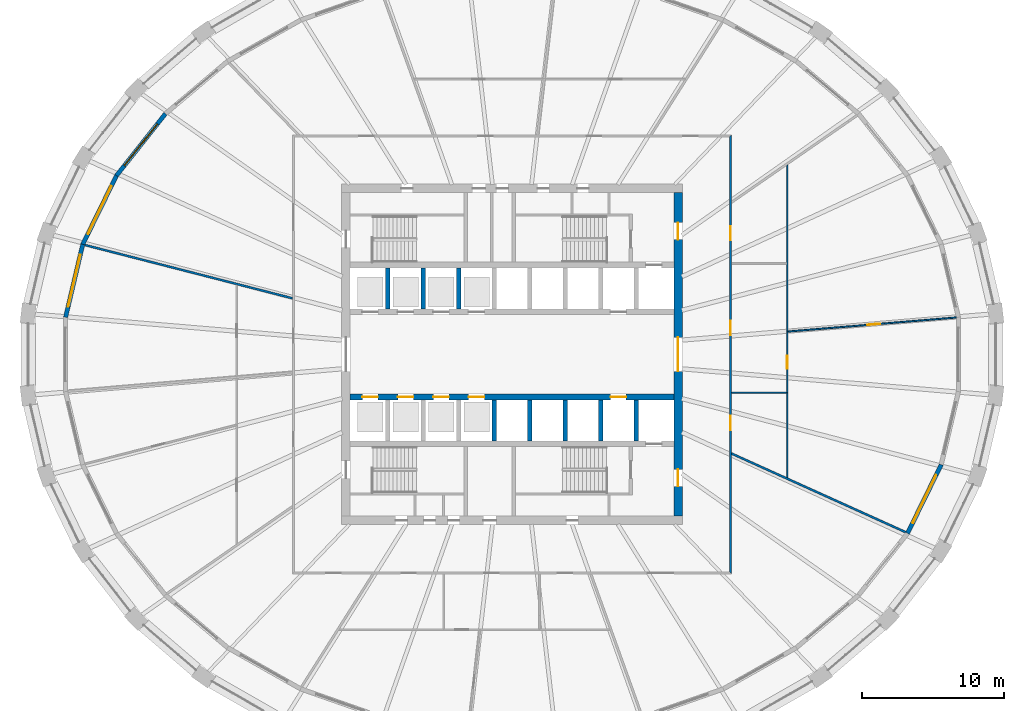
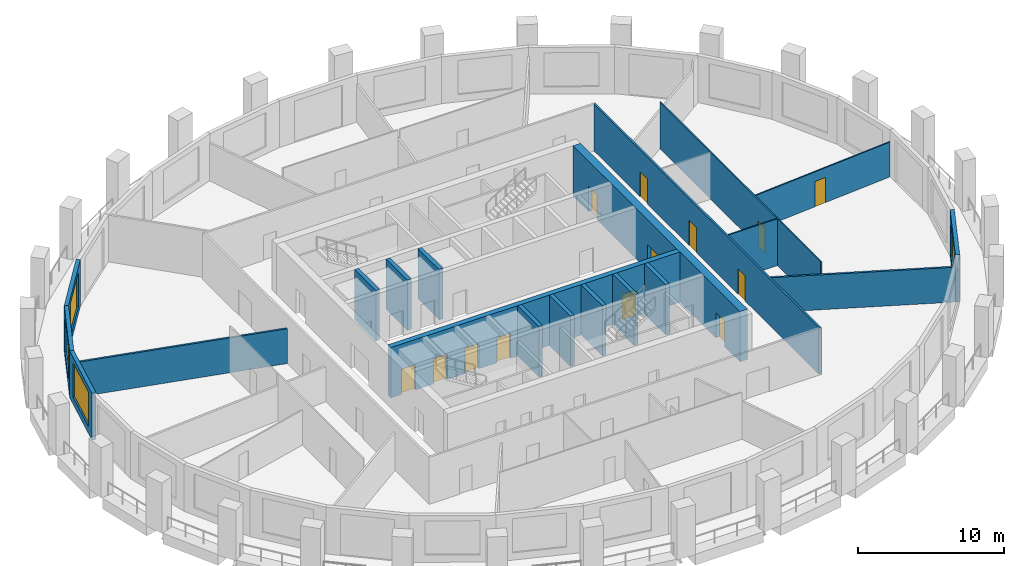
# One storey, part 5 of 11: 20 walls, 13 doors, 4 windows, 17 openings.
"""IFC4 building model written with IfcOpenShell, lengths in metres."""

from ifc_helpers import new_model, si_unit, direction, frame, frame_2d, origin, place, context, subcontext, project, spatial, polyline, rectangle, outline, extrude, material, layer, layer_set, type_object, element, fill, save


model = new_model("IFC4")

# Units and contexts
model_context = context("Model", 3, precision=1e-05, world=origin(), true_north=direction((0.0, 1.0)))
body_context = subcontext(model_context, "Body", "Model", "MODEL_VIEW")
ifc_project = project(units=[si_unit("LENGTHUNIT", "METRE"), si_unit("AREAUNIT", "SQUARE_METRE"), si_unit("VOLUMEUNIT", "CUBIC_METRE"), si_unit("PLANEANGLEUNIT", "RADIAN"), si_unit("MASSUNIT", "GRAM", prefix="KILO")], contexts=[model_context])

# Site, building, storey
site_placement = place(None, origin())
site = spatial("IfcSite", under=ifc_project, at=site_placement, CompositionType="ELEMENT")
building_placement = place(site_placement, origin())
building = spatial("IfcBuilding", under=site, at=building_placement, Name="Halqa Exchange Tower", CompositionType="ELEMENT")
storey_placement = place(building_placement, frame((0.0, 0.0, 142.300048828125)))
storey = spatial("IfcBuildingStorey", under=building, at=storey_placement, Name="L32", CompositionType="ELEMENT", Elevation=142.300048828125)

# Wall
ifc_material_1 = material(Name="Fire-rated gypsum board")
ifc_layer_1 = layer(ifc_material_1, 0.14990234375)
ifc_layer_set_1 = layer_set([ifc_layer_1], Name="Fire-rated gypsum board")
wall_type_1 = type_object("IfcWallType", Name="Fire partition EI 60 150", PredefinedType="PARTITIONING", material=ifc_layer_set_1)
wall_1_placement = place(storey_placement, frame((-30.106201171875, 7.714599609375, 0.0), z_axis=(0.0, 0.0, 1.0), x_axis=(0.968604188178, -0.248607977837, 0.0)))
element("IfcWall", 1, at=wall_1_placement, inside=storey, type_object=wall_type_1, Name="L32-PWL-002", PredefinedType="PARTITIONING", context=body_context, shape_type="SweptSolid", body=[
    extrude(outline(polyline([(0.0, -0.074951171875), (1.853271484375, -0.074951171875), (3.70654296875, -0.074951171875), (5.56005859375, -0.074951171875), (7.413330078125, -0.074951171875), (9.2666015625, -0.074951171875), (11.119873046875, -0.074951171875), (11.123779296875, -0.073974609375), (11.1240234375, -0.074951171875), (12.45751953125, -0.074951171875), (13.790771484375, -0.074951171875), (15.124267578125, -0.074951171875), (15.124267578125, -0.0732421875), (15.086181640625, 0.074951171875), (13.2021484375, 0.074951171875), (11.318359375, 0.074951171875), (9.434326171875, 0.074951171875), (7.55029296875, 0.074951171875), (5.66650390625, 0.074951171875), (3.782470703125, 0.074951171875), (1.8984375, 0.074951171875), (0.0146484375, 0.074951171875), (0.0, 0.0048828125), (0.0, -0.074951171875)])), origin(), (0.0, 0.0, 1.0), 2.909912109375),
])

# Wall, openings, doors
wall_2_placement = place(storey_placement, frame((15.39990234375, -15.47509765625, 0.0), z_axis=(0.0, 0.0, 1.0), x_axis=(0.0, 1.0, 0.0)))
wall_2 = element("IfcWall", 2, at=wall_2_placement, inside=storey, type_object=wall_type_1, Name="L32-PWL-023", PredefinedType="PARTITIONING", context=body_context, shape_type="SweptSolid", body=[
    extrude(outline(polyline([(0.000244140625, -0.074951171875), (1.9345703125, -0.074951171875), (3.868896484375, -0.074951171875), (5.80322265625, -0.074951171875), (7.73779296875, -0.074951171875), (9.672119140625, -0.074951171875), (11.6064453125, -0.074951171875), (13.540771484375, -0.074951171875), (15.47509765625, -0.074951171875), (17.409423828125, -0.074951171875), (19.34375, -0.074951171875), (21.278076171875, -0.074951171875), (23.21240234375, -0.074951171875), (25.14697265625, -0.074951171875), (27.081298828125, -0.074951171875), (29.015625, -0.074951171875), (30.949951171875, -0.074951171875), (30.800048828125, 0.074951171875), (28.884521484375, 0.074951171875), (26.96875, 0.074951171875), (25.05322265625, 0.074951171875), (23.1376953125, 0.074951171875), (21.221923828125, 0.074951171875), (19.306396484375, 0.074951171875), (17.390625, 0.074951171875), (15.47509765625, 0.074951171875), (13.5595703125, 0.074951171875), (11.643798828125, 0.074951171875), (9.728271484375, 0.074951171875), (7.8125, 0.074951171875), (5.89697265625, 0.074951171875), (3.9814453125, 0.074951171875), (2.065673828125, 0.074951171875), (0.150146484375, 0.074951171875), (0.000244140625, -0.074951171875)])), origin(), (0.0, 0.0, 1.0), 3.89990234375),
])
opening_1_placement = place(wall_2_placement, frame((10.14990234375, 0.0, 0.0)))
opening_1 = element("IfcOpeningElement", 3, at=opening_1_placement, cuts=wall_2, Name="Opening 10-01", PredefinedType="OPENING", context=body_context, shape_type="SweptSolid", body=[
    extrude(rectangle(XDim=1.0, YDim=2.10009765625, at=frame_2d((0.5, 1.050048828125))), frame((0.0, 0.0869140625, 0.0), z_axis=(0.0, -1.0, 0.0), x_axis=(1.0, 0.0, 0.0)), (0.0, 0.0, 1.0), 0.173828125),
])
opening_2_placement = place(wall_2_placement, frame((16.8349609375, 0.0, 0.0)))
opening_2 = element("IfcOpeningElement", 4, at=opening_2_placement, cuts=wall_2, Name="Opening 10-02", PredefinedType="OPENING", context=body_context, shape_type="SweptSolid", body=[
    extrude(rectangle(XDim=1.0, YDim=2.10009765625, at=frame_2d((0.5, 1.050048828125))), frame((0.0, 0.0869140625, 0.0), z_axis=(0.0, -1.0, 0.0), x_axis=(1.0, 0.0, 0.0)), (0.0, 0.0, 1.0), 0.173828125),
])
opening_3_placement = place(wall_2_placement, frame((23.52001953125, 0.0, 0.0)))
opening_3 = element("IfcOpeningElement", 5, at=opening_3_placement, cuts=wall_2, Name="Opening 10-03", PredefinedType="OPENING", context=body_context, shape_type="SweptSolid", body=[
    extrude(rectangle(XDim=1.0, YDim=2.10009765625, at=frame_2d((0.5, 1.050048828125))), frame((0.0, 0.0869140625, 0.0), z_axis=(0.0, -1.0, 0.0), x_axis=(1.0, 0.0, 0.0)), (0.0, 0.0, 1.0), 0.173828125),
])
ifc_material_2 = material(Name="Steel fire door leaf", Category="steel")
door_type_1 = type_object("IfcDoorType", Name="Fire door FD30S 1000 x 2100", OperationType="SINGLE_SWING_LEFT", PredefinedType="DOOR", material=ifc_material_2)
door_1_placement = place(opening_1_placement, frame((1.0, 0.0, 0.0), z_axis=(0.0, 0.0, 1.0), x_axis=(-1.0, 0.0, 0.0)))
door_1 = element("IfcDoor", 6, at=door_1_placement, inside=storey, type_object=door_type_1, Name="L32-IDR-001", OperationType="SINGLE_SWING_LEFT", OverallHeight=2.10009765625, OverallWidth=1.0, PredefinedType="DOOR", context=body_context, shape_type="SweptSolid", body=[
    extrude(rectangle(XDim=1.0, YDim=2.10009765625, at=frame_2d((0.5, 1.050048828125))), frame((0.0, 0.02490234375, 0.0), z_axis=(0.0, -1.0, 0.0), x_axis=(1.0, 0.0, 0.0)), (0.0, 0.0, 1.0), 0.050048828125),
])
fill(opening_1, door_1)
door_2_placement = place(opening_2_placement, frame((1.0, 0.0, 0.0), z_axis=(0.0, 0.0, 1.0), x_axis=(-1.0, 0.0, 0.0)))
door_2 = element("IfcDoor", 7, at=door_2_placement, inside=storey, type_object=door_type_1, Name="L32-IDR-002", OperationType="SINGLE_SWING_LEFT", OverallHeight=2.10009765625, OverallWidth=1.0, PredefinedType="DOOR", context=body_context, shape_type="SweptSolid", body=[
    extrude(rectangle(XDim=1.0, YDim=2.10009765625, at=frame_2d((0.5, 1.050048828125))), frame((0.0, 0.02490234375, 0.0), z_axis=(0.0, -1.0, 0.0), x_axis=(1.0, 0.0, 0.0)), (0.0, 0.0, 1.0), 0.050048828125),
])
fill(opening_2, door_2)
door_3_placement = place(opening_3_placement, frame((1.0, 0.0, 0.0), z_axis=(0.0, 0.0, 1.0), x_axis=(-1.0, 0.0, 0.0)))
door_3 = element("IfcDoor", 8, at=door_3_placement, inside=storey, type_object=door_type_1, Name="L32-IDR-003", OperationType="SINGLE_SWING_LEFT", OverallHeight=2.10009765625, OverallWidth=1.0, PredefinedType="DOOR", context=body_context, shape_type="SweptSolid", body=[
    extrude(rectangle(XDim=1.0, YDim=2.10009765625, at=frame_2d((0.5, 1.050048828125))), frame((0.0, 0.02490234375, 0.0), z_axis=(0.0, -1.0, 0.0), x_axis=(1.0, 0.0, 0.0)), (0.0, 0.0, 1.0), 0.050048828125),
])
fill(opening_3, door_3)

# Walls
wall_3_placement = place(storey_placement, frame((15.444091796875, -6.969970703125, 0.0), z_axis=(0.0, 0.0, 1.0), x_axis=(0.911349155517, -0.411634202587, 0.0)))
element("IfcWall", 9, at=wall_3_placement, inside=storey, type_object=wall_type_1, Name="L32-PWL-024", PredefinedType="PARTITIONING", context=body_context, shape_type="SweptSolid", body=[
    extrude(outline(polyline([(0.06787109375, -0.074951171875), (1.98388671875, -0.074951171875), (3.89990234375, -0.074951171875), (5.81591796875, -0.074951171875), (7.73193359375, -0.074951171875), (9.64794921875, -0.074951171875), (11.564208984375, -0.074951171875), (13.480224609375, -0.074951171875), (13.49951171875, 0.0029296875), (13.50146484375, 0.0615234375), (13.50146484375, 0.074951171875), (11.65185546875, 0.074951171875), (9.80224609375, 0.074951171875), (7.95263671875, 0.074951171875), (6.10302734375, 0.074951171875), (4.25341796875, 0.074951171875), (4.252197265625, 0.074462890625), (4.251953125, 0.074951171875), (2.834716796875, 0.074951171875), (1.41748046875, 0.074951171875), (0.0, 0.074951171875), (0.06787109375, -0.074951171875)])), origin(), (0.0, 0.0, 1.0), 2.909912109375),
])
ifc_material_3 = material(Name="Gypsum board")
ifc_layer_2 = layer(ifc_material_3, 0.10009765625)
ifc_layer_set_2 = layer_set([ifc_layer_2], Name="Gypsum board")
wall_type_2 = type_object("IfcWallType", Name="Partition 100 gypsum", PredefinedType="PARTITIONING", material=ifc_layer_set_2)
wall_4_placement = place(storey_placement, frame((15.47509765625, -2.699951171875, 0.0), z_axis=(0.0, 0.0, 1.0), x_axis=(1.0, 0.0, 0.0)))
element("IfcWall", 10, at=wall_4_placement, inside=storey, type_object=wall_type_2, Name="L32-PWL-025", PredefinedType="PARTITIONING", context=body_context, shape_type="SweptSolid", body=[
    extrude(rectangle(XDim=3.875, YDim=0.10009765625, at=frame_2d((1.9375, 0.0))), origin(), (0.0, 0.0, 1.0), 3.89990234375),
])

# Wall, opening, door
wall_5_placement = place(storey_placement, frame((19.39990234375, -8.696533203125, 0.0), z_axis=(0.0, 0.0, 1.0), x_axis=(0.0, 1.0, 0.0)))
wall_5 = element("IfcWall", 11, at=wall_5_placement, inside=storey, type_object=wall_type_2, Name="L32-PWL-028", PredefinedType="PARTITIONING", context=body_context, shape_type="SweptSolid", body=[
    extrude(outline(polyline([(22.07958984375, -0.050048828125), (22.07958984375, -0.049560546875), (22.010498046875, 0.050048828125), (20.299560546875, 0.050048828125), (18.588623046875, 0.050048828125), (16.87744140625, 0.050048828125), (15.16650390625, 0.050048828125), (15.16650390625, 0.0498046875), (15.066650390625, 0.0498046875), (15.066650390625, 0.050048828125), (13.262451171875, 0.050048828125), (11.45849609375, 0.050048828125), (9.654541015625, 0.050048828125), (7.8505859375, 0.050048828125), (6.046630859375, 0.050048828125), (6.046630859375, 0.0498046875), (5.946533203125, 0.0498046875), (5.946533203125, 0.050048828125), (3.979248046875, 0.050048828125), (2.011962890625, 0.050048828125), (0.044677734375, 0.050048828125), (0.0, -0.049072265625), (0.0, -0.050048828125), (1.83984375, -0.050048828125), (3.679931640625, -0.050048828125), (5.52001953125, -0.050048828125), (7.35986328125, -0.050048828125), (9.19970703125, -0.050048828125), (11.039794921875, -0.050048828125), (12.8798828125, -0.050048828125), (14.7197265625, -0.050048828125), (16.5595703125, -0.050048828125), (18.399658203125, -0.050048828125), (20.23974609375, -0.050048828125), (22.07958984375, -0.050048828125)])), origin(), (0.0, 0.0, 1.0), 3.89990234375),
])
opening_4_placement = place(wall_5_placement, frame((7.701416015625, 0.0, 0.0)))
opening_4 = element("IfcOpeningElement", 12, at=opening_4_placement, cuts=wall_5, Name="Opening 10-16", PredefinedType="OPENING", context=body_context, shape_type="SweptSolid", body=[
    extrude(rectangle(XDim=0.89990234375, YDim=2.10009765625, at=frame_2d((0.449951171875, 1.050048828125))), frame((0.0, 0.06201171875, 0.0), z_axis=(0.0, -1.0, 0.0), x_axis=(1.0, 0.0, 0.0)), (0.0, 0.0, 1.0), 0.1240234375),
])
ifc_material_4 = material(Name="Timber door leaf", Category="wood")
door_type_2 = type_object("IfcDoorType", Name="Door 900 x 2100", OperationType="SINGLE_SWING_LEFT", PredefinedType="DOOR", material=ifc_material_4)
door_4_placement = place(opening_4_placement, origin())
door_4 = element("IfcDoor", 13, at=door_4_placement, inside=storey, type_object=door_type_2, Name="L32-IDR-016", OperationType="SINGLE_SWING_RIGHT", OverallHeight=2.10009765625, OverallWidth=0.89990234375, PredefinedType="DOOR", context=body_context, shape_type="SweptSolid", body=[
    extrude(rectangle(XDim=0.89990234375, YDim=2.10009765625, at=frame_2d((0.449951171875, 1.050048828125))), frame((0.0, 0.02490234375, 0.0), z_axis=(0.0, -1.0, 0.0), x_axis=(1.0, 0.0, 0.0)), (0.0, 0.0, 1.0), 0.050048828125),
])
fill(opening_4, door_4)

wall_6_placement = place(storey_placement, frame((19.44580078125, 1.61376953125, 0.0), z_axis=(0.0, 0.0, 1.0), x_axis=(0.996528479526, 0.083252564492, 0.0)))
wall_6 = element("IfcWall", 14, at=wall_6_placement, inside=storey, type_object=wall_type_2, Name="L32-PWL-029", PredefinedType="PARTITIONING", context=body_context, shape_type="SweptSolid", body=[
    extrude(outline(polyline([(0.0, -0.050048828125), (1.98388671875, -0.050048828125), (3.9677734375, -0.050048828125), (5.95166015625, -0.050048828125), (7.935302734375, -0.050048828125), (9.919189453125, -0.050048828125), (11.903076171875, -0.050048828125), (11.903076171875, -0.0498046875), (11.903076171875, 0.026611328125), (11.899658203125, 0.050048828125), (9.917724609375, 0.050048828125), (7.935791015625, 0.050048828125), (5.9541015625, 0.050048828125), (3.97216796875, 0.050048828125), (1.990234375, 0.050048828125), (0.00830078125, 0.050048828125), (0.0, -0.050048828125)])), origin(), (0.0, 0.0, 1.0), 2.909912109375),
])
opening_5_placement = place(wall_6_placement, frame((5.63037109375, 0.0, 0.0)))
opening_5 = element("IfcOpeningElement", 15, at=opening_5_placement, cuts=wall_6, Name="Opening 10-17", PredefinedType="OPENING", context=body_context, shape_type="SweptSolid", body=[
    extrude(rectangle(XDim=0.89990234375, YDim=2.10009765625, at=frame_2d((0.449951171875, 1.050048828125))), frame((0.0, 0.06201171875, 0.0), z_axis=(0.0, -1.0, 0.0), x_axis=(1.0, 0.0, 0.0)), (0.0, 0.0, 1.0), 0.1240234375),
])
door_5_placement = place(opening_5_placement, origin())
door_5 = element("IfcDoor", 16, at=door_5_placement, inside=storey, type_object=door_type_2, Name="L32-IDR-017", OperationType="SINGLE_SWING_RIGHT", OverallHeight=2.10009765625, OverallWidth=0.89990234375, PredefinedType="DOOR", context=body_context, shape_type="SweptSolid", body=[
    extrude(rectangle(XDim=0.89990234375, YDim=2.10009765625, at=frame_2d((0.449951171875, 1.050048828125))), frame((0.0, 0.02490234375, 0.0), z_axis=(0.0, -1.0, 0.0), x_axis=(1.0, 0.0, 0.0)), (0.0, 0.0, 1.0), 0.050048828125),
])
fill(opening_5, door_5)

# Walls
ifc_material_5 = material(Name="Concrete C60/75", Category="concrete")
ifc_layer_3 = layer(ifc_material_5, 0.300048828125)
ifc_layer_set_3 = layer_set([ifc_layer_3], Name="Concrete C60/75")
wall_type_3 = type_object("IfcWallType", Name="RC core wall 300", PredefinedType="SHEAR", material=ifc_layer_set_3)
for number, where, z_axis, x_axis, name in (
    (17, (-8.75, 3.199951171875, 0.0), (0.0, 0.0, 1.0), (0.0, 1.0, 0.0), "Shaft divider N1"),
    (18, (-6.25, 3.199951171875, 0.0), (0.0, 0.0, 1.0), (0.0, 1.0, 0.0), "Shaft divider N2"),
    (19, (-3.75, 3.199951171875, 0.0), (0.0, 0.0, 1.0), (0.0, 1.0, 0.0), "Shaft divider N3"),
    (20, (-1.25, -6.10009765625, 0.0), (0.0, 0.0, 1.0), (0.0, 1.0, 0.0), "Shaft divider S4"),
    (21, (1.25, -6.10009765625, 0.0), (0.0, 0.0, 1.0), (0.0, 1.0, 0.0), "Shaft divider S5"),
    (22, (3.75, -6.10009765625, 0.0), (0.0, 0.0, 1.0), (0.0, 1.0, 0.0), "Shaft divider S6"),
    (23, (6.25, -6.10009765625, 0.0), (0.0, 0.0, 1.0), (0.0, 1.0, 0.0), "Shaft divider S7"),
    (24, (8.75, -6.10009765625, 0.0), (0.0, 0.0, 1.0), (0.0, 1.0, 0.0), "Shaft divider S8"),
):
    element("IfcWall", number, at=place(storey_placement, frame(where, z_axis=z_axis, x_axis=x_axis)), inside=storey, type_object=wall_type_3, Name=name, PredefinedType="SHEAR", context=body_context, shape_type="SweptSolid", body=[
        extrude(rectangle(XDim=2.900146484375, YDim=0.300048828125, at=frame_2d((1.4501953125, 0.0))), origin(), (0.0, 0.0, 1.0), 4.199951171875),
    ])

# Wall, openings, doors
ifc_material_6 = material(Name="Concrete C70/85", Category="concrete")
ifc_layer_4 = layer(ifc_material_6, 0.39990234375)
ifc_layer_set_4 = layer_set([ifc_layer_4], Name="Concrete C70/85")
wall_type_4 = type_object("IfcWallType", Name="RC core wall 400 C70/85", PredefinedType="SHEAR", material=ifc_layer_set_4)
wall_7_placement = place(storey_placement, frame((-11.39990234375, -3.0, 0.0), z_axis=(0.0, 0.0, 1.0), x_axis=(1.0, 0.0, 0.0)))
wall_7 = element("IfcWall", 25, at=wall_7_placement, inside=storey, type_object=wall_type_4, Name="Lift row front wall S", PredefinedType="SHEAR", context=body_context, shape_type="SweptSolid", body=[
    extrude(rectangle(XDim=22.7998046875, YDim=0.39990234375, at=frame_2d((11.39990234375, 0.0))), origin(), (0.0, 0.0, 1.0), 4.199951171875),
])
opening_6_placement = place(wall_7_placement, frame((0.85009765625, 0.0, 0.0)))
opening_6 = element("IfcOpeningElement", 26, at=opening_6_placement, cuts=wall_7, Name="Opening LD-LR5-T10", PredefinedType="OPENING", context=body_context, shape_type="SweptSolid", body=[
    extrude(rectangle(XDim=1.10009765625, YDim=2.10009765625, at=frame_2d((0.550048828125, 1.050048828125))), frame((0.0, 0.2119140625, 0.0), z_axis=(0.0, -1.0, 0.0), x_axis=(1.0, 0.0, 0.0)), (0.0, 0.0, 1.0), 0.423828125),
])
opening_7_placement = place(wall_7_placement, frame((3.35009765625, 0.0, 0.0)))
opening_7 = element("IfcOpeningElement", 27, at=opening_7_placement, cuts=wall_7, Name="Opening LD-LR6-T10", PredefinedType="OPENING", context=body_context, shape_type="SweptSolid", body=[
    extrude(rectangle(XDim=1.10009765625, YDim=2.10009765625, at=frame_2d((0.550048828125, 1.050048828125))), frame((0.0, 0.2119140625, 0.0), z_axis=(0.0, -1.0, 0.0), x_axis=(1.0, 0.0, 0.0)), (0.0, 0.0, 1.0), 0.423828125),
])
opening_8_placement = place(wall_7_placement, frame((5.85009765625, 0.0, 0.0)))
opening_8 = element("IfcOpeningElement", 28, at=opening_8_placement, cuts=wall_7, Name="Opening LD-LR7-T10", PredefinedType="OPENING", context=body_context, shape_type="SweptSolid", body=[
    extrude(rectangle(XDim=1.10009765625, YDim=2.10009765625, at=frame_2d((0.550048828125, 1.050048828125))), frame((0.0, 0.2119140625, 0.0), z_axis=(0.0, -1.0, 0.0), x_axis=(1.0, 0.0, 0.0)), (0.0, 0.0, 1.0), 0.423828125),
])
opening_9_placement = place(wall_7_placement, frame((8.35009765625, 0.0, 0.0)))
opening_9 = element("IfcOpeningElement", 29, at=opening_9_placement, cuts=wall_7, Name="Opening LD-LR8-T10", PredefinedType="OPENING", context=body_context, shape_type="SweptSolid", body=[
    extrude(rectangle(XDim=1.10009765625, YDim=2.10009765625, at=frame_2d((0.550048828125, 1.050048828125))), frame((0.0, 0.2119140625, 0.0), z_axis=(0.0, -1.0, 0.0), x_axis=(1.0, 0.0, 0.0)), (0.0, 0.0, 1.0), 0.423828125),
])
opening_10_placement = place(wall_7_placement, frame((18.35009765625, 0.0, 0.0)))
opening_10 = element("IfcOpeningElement", 30, at=opening_10_placement, cuts=wall_7, Name="Opening LD-SV2-T10", PredefinedType="OPENING", context=body_context, shape_type="SweptSolid", body=[
    extrude(rectangle(XDim=1.10009765625, YDim=2.10009765625, at=frame_2d((0.550048828125, 1.050048828125))), frame((0.0, 0.2119140625, 0.0), z_axis=(0.0, -1.0, 0.0), x_axis=(1.0, 0.0, 0.0)), (0.0, 0.0, 1.0), 0.423828125),
])
ifc_material_7 = material(Name="Stainless steel", Category="steel")
door_type_3 = type_object("IfcDoorType", Name="Lift landing door 1100 x 2100", OperationType="SLIDING_TO_LEFT", PredefinedType="DOOR", material=ifc_material_7)
door_6_placement = place(opening_6_placement, origin())
door_6 = element("IfcDoor", 31, at=door_6_placement, inside=storey, type_object=door_type_3, Name="Lift landing door LR5", OperationType="SLIDING_TO_LEFT", OverallHeight=2.10009765625, OverallWidth=1.10009765625, PredefinedType="DOOR", context=body_context, shape_type="SweptSolid", body=[
    extrude(rectangle(XDim=1.10009765625, YDim=2.10009765625, at=frame_2d((0.550048828125, 1.050048828125))), frame((0.0, 0.02490234375, 0.0), z_axis=(0.0, -1.0, 0.0), x_axis=(1.0, 0.0, 0.0)), (0.0, 0.0, 1.0), 0.050048828125),
])
fill(opening_6, door_6)
door_7_placement = place(opening_7_placement, origin())
door_7 = element("IfcDoor", 32, at=door_7_placement, inside=storey, type_object=door_type_3, Name="Lift landing door LR6", OperationType="SLIDING_TO_LEFT", OverallHeight=2.10009765625, OverallWidth=1.10009765625, PredefinedType="DOOR", context=body_context, shape_type="SweptSolid", body=[
    extrude(rectangle(XDim=1.10009765625, YDim=2.10009765625, at=frame_2d((0.550048828125, 1.050048828125))), frame((0.0, 0.02490234375, 0.0), z_axis=(0.0, -1.0, 0.0), x_axis=(1.0, 0.0, 0.0)), (0.0, 0.0, 1.0), 0.050048828125),
])
fill(opening_7, door_7)
door_8_placement = place(opening_8_placement, origin())
door_8 = element("IfcDoor", 33, at=door_8_placement, inside=storey, type_object=door_type_3, Name="Lift landing door LR7", OperationType="SLIDING_TO_LEFT", OverallHeight=2.10009765625, OverallWidth=1.10009765625, PredefinedType="DOOR", context=body_context, shape_type="SweptSolid", body=[
    extrude(rectangle(XDim=1.10009765625, YDim=2.10009765625, at=frame_2d((0.550048828125, 1.050048828125))), frame((0.0, 0.02490234375, 0.0), z_axis=(0.0, -1.0, 0.0), x_axis=(1.0, 0.0, 0.0)), (0.0, 0.0, 1.0), 0.050048828125),
])
fill(opening_8, door_8)
door_9_placement = place(opening_9_placement, origin())
door_9 = element("IfcDoor", 34, at=door_9_placement, inside=storey, type_object=door_type_3, Name="Lift landing door LR8", OperationType="SLIDING_TO_LEFT", OverallHeight=2.10009765625, OverallWidth=1.10009765625, PredefinedType="DOOR", context=body_context, shape_type="SweptSolid", body=[
    extrude(rectangle(XDim=1.10009765625, YDim=2.10009765625, at=frame_2d((0.550048828125, 1.050048828125))), frame((0.0, 0.02490234375, 0.0), z_axis=(0.0, -1.0, 0.0), x_axis=(1.0, 0.0, 0.0)), (0.0, 0.0, 1.0), 0.050048828125),
])
fill(opening_9, door_9)
door_10_placement = place(opening_10_placement, origin())
door_10 = element("IfcDoor", 35, at=door_10_placement, inside=storey, type_object=door_type_3, Name="Lift landing door SV2", OperationType="SLIDING_TO_LEFT", OverallHeight=2.10009765625, OverallWidth=1.10009765625, PredefinedType="DOOR", context=body_context, shape_type="SweptSolid", body=[
    extrude(rectangle(XDim=1.10009765625, YDim=2.10009765625, at=frame_2d((0.550048828125, 1.050048828125))), frame((0.0, 0.02490234375, 0.0), z_axis=(0.0, -1.0, 0.0), x_axis=(1.0, 0.0, 0.0)), (0.0, 0.0, 1.0), 0.050048828125),
])
fill(opening_10, door_10)

ifc_layer_5 = layer(ifc_material_6, 0.60009765625)
ifc_layer_set_5 = layer_set([ifc_layer_5], Name="Concrete C70/85")
wall_type_5 = type_object("IfcWallType", Name="RC core wall 600 C70/85", PredefinedType="SHEAR", material=ifc_layer_set_5)
wall_8_placement = place(storey_placement, frame((11.699951171875, -11.39990234375, 0.0), z_axis=(0.0, 0.0, 1.0), x_axis=(0.0, 1.0, 0.0)))
wall_8 = element("IfcWall", 36, at=wall_8_placement, inside=storey, type_object=wall_type_5, Name="Core wall east", PredefinedType="SHEAR", context=body_context, shape_type="SweptSolid", body=[
    extrude(rectangle(XDim=22.7998046875, YDim=0.60009765625, at=frame_2d((11.39990234375, 0.0))), origin(), (0.0, 0.0, 1.0), 4.199951171875),
])
opening_11_placement = place(wall_8_placement, frame((10.199951171875, 0.0, 0.0)))
opening_11 = element("IfcOpeningElement", 37, at=opening_11_placement, cuts=wall_8, Name="Opening T10-C14", PredefinedType="OPENING", context=body_context, shape_type="SweptSolid", body=[
    extrude(rectangle(XDim=2.39990234375, YDim=2.10009765625, at=frame_2d((1.199951171875, 1.050048828125))), frame((0.0, 0.31201171875, 0.0), z_axis=(0.0, -1.0, 0.0), x_axis=(1.0, 0.0, 0.0)), (0.0, 0.0, 1.0), 0.6240234375),
])
opening_12_placement = place(wall_8_placement, frame((19.5, 0.0, 0.0)))
opening_12 = element("IfcOpeningElement", 38, at=opening_12_placement, cuts=wall_8, Name="Opening T10-C19", PredefinedType="OPENING", context=body_context, shape_type="SweptSolid", body=[
    extrude(rectangle(XDim=1.199951171875, YDim=2.10009765625, at=frame_2d((0.60009765625, 1.050048828125))), frame((0.0, 0.31201171875, 0.0), z_axis=(0.0, -1.0, 0.0), x_axis=(1.0, 0.0, 0.0)), (0.0, 0.0, 1.0), 0.6240234375),
])
opening_13_placement = place(wall_8_placement, frame((2.10009765625, 0.0, 0.0)))
opening_13 = element("IfcOpeningElement", 39, at=opening_13_placement, cuts=wall_8, Name="Opening T10-C20", PredefinedType="OPENING", context=body_context, shape_type="SweptSolid", body=[
    extrude(rectangle(XDim=1.199951171875, YDim=2.10009765625, at=frame_2d((0.60009765625, 1.050048828125))), frame((0.0, 0.31201171875, 0.0), z_axis=(0.0, -1.0, 0.0), x_axis=(1.0, 0.0, 0.0)), (0.0, 0.0, 1.0), 0.6240234375),
])
door_type_4 = type_object("IfcDoorType", Name="Firefighting lobby door FD90 1200 x 2100", OperationType="SINGLE_SWING_RIGHT", PredefinedType="DOOR", material=ifc_material_2)
door_11_placement = place(opening_12_placement, origin())
door_11 = element("IfcDoor", 40, at=door_11_placement, inside=storey, type_object=door_type_4, Name="Firefighting lobby door", OperationType="SINGLE_SWING_RIGHT", OverallHeight=2.10009765625, OverallWidth=1.199951171875, PredefinedType="DOOR", context=body_context, shape_type="SweptSolid", body=[
    extrude(rectangle(XDim=1.199951171875, YDim=2.10009765625, at=frame_2d((0.60009765625, 1.050048828125))), frame((0.0, 0.02490234375, 0.0), z_axis=(0.0, -1.0, 0.0), x_axis=(1.0, 0.0, 0.0)), (0.0, 0.0, 1.0), 0.050048828125),
])
fill(opening_12, door_11)
door_12_placement = place(opening_13_placement, origin())
door_12 = element("IfcDoor", 41, at=door_12_placement, inside=storey, type_object=door_type_4, Name="Firefighting lobby door", OperationType="SINGLE_SWING_LEFT", OverallHeight=2.10009765625, OverallWidth=1.199951171875, PredefinedType="DOOR", context=body_context, shape_type="SweptSolid", body=[
    extrude(rectangle(XDim=1.199951171875, YDim=2.10009765625, at=frame_2d((0.60009765625, 1.050048828125))), frame((0.0, 0.02490234375, 0.0), z_axis=(0.0, -1.0, 0.0), x_axis=(1.0, 0.0, 0.0)), (0.0, 0.0, 1.0), 0.050048828125),
])
fill(opening_13, door_12)
door_type_5 = type_object("IfcDoorType", Name="Lobby double door FD60 2400 x 2100", OperationType="DOUBLE_DOOR_SINGLE_SWING", PredefinedType="DOOR", material=ifc_material_2)
door_13_placement = place(opening_11_placement, origin())
door_13 = element("IfcDoor", 42, at=door_13_placement, inside=storey, type_object=door_type_5, Name="Lift lobby double door", OperationType="DOUBLE_DOOR_SINGLE_SWING", OverallHeight=2.10009765625, OverallWidth=2.39990234375, PredefinedType="DOOR", context=body_context, shape_type="SweptSolid", body=[
    extrude(rectangle(XDim=2.39990234375, YDim=2.10009765625, at=frame_2d((1.199951171875, 1.050048828125))), frame((0.0, 0.02490234375, 0.0), z_axis=(0.0, -1.0, 0.0), x_axis=(1.0, 0.0, 0.0)), (0.0, 0.0, 1.0), 0.050048828125),
])
fill(opening_11, door_13)

# Wall, opening, window
ifc_material_8 = material(Name="Limestone cladding", Category="masonry")
ifc_layer_6 = layer(ifc_material_8, 0.0400390625)
ifc_material_9 = material(Name="Ventilated cavity")
ifc_layer_7 = layer(ifc_material_9, 0.030029296875, ventilated=True)
ifc_material_10 = material(Name="Mineral wool insulation")
ifc_layer_8 = layer(ifc_material_10, 0.10009765625)
ifc_material_11 = material(Name="Concrete C30/37", Category="concrete")
ifc_layer_9 = layer(ifc_material_11, 0.10009765625)
ifc_material_12 = material(Name="Internal plaster")
ifc_layer_10 = layer(ifc_material_12, 0.030029296875)
ifc_layer_set_6 = layer_set([ifc_layer_6, ifc_layer_7, ifc_layer_8, ifc_layer_9, ifc_layer_10], Name="Stone-faced insulated wall 300")
wall_type_6 = type_object("IfcWallType", Name="Stone-faced insulated wall 300", PredefinedType="STANDARD", material=ifc_layer_set_6)
wall_9_placement = place(storey_placement, frame((-24.4296875, 16.959716796875, 0.0), z_axis=(0.0, 0.0, 1.0), x_axis=(-0.620520511988, -0.784190215574, 0.0)))
wall_9 = element("IfcWall", 43, at=wall_9_placement, inside=storey, type_object=wall_type_6, Name="Glass-line wall 13", PredefinedType="STANDARD", context=body_context, shape_type="SweptSolid", body=[
    extrude(outline(polyline([(-0.01513671875, -0.14990234375), (5.569580078125, -0.14990234375), (5.537353515625, 0.14990234375), (0.01513671875, 0.14990234375), (-0.01513671875, -0.14990234375)])), origin(), (0.0, 0.0, 1.0), 3.89990234375),
])
opening_14_placement = place(wall_9_placement, frame((0.901611328125, 0.0, 0.60009765625)))
opening_14 = element("IfcOpeningElement", 44, at=opening_14_placement, cuts=wall_9, Name="Opening W-F2-13", PredefinedType="OPENING", context=body_context, shape_type="SweptSolid", body=[
    extrude(rectangle(XDim=3.75, YDim=2.85009765625, at=frame_2d((1.875, 1.425048828125))), frame((0.0, 0.162109375, 0.0), z_axis=(0.0, -1.0, 0.0), x_axis=(1.0, 0.0, 0.0)), (0.0, 0.0, 1.0), 0.323974609375),
])
ifc_material_13 = material(Name="Clear low-emissivity glass in aluminium frame", Category="aluminium")
window_type = type_object("IfcWindowType", Name="Fixed clear glazed window 3750 x 2850", PartitioningType="TRIPLE_PANEL_VERTICAL", PredefinedType="WINDOW", material=ifc_material_13)
window_1_placement = place(opening_14_placement, origin())
window_1 = element("IfcWindow", 45, at=window_1_placement, inside=storey, type_object=window_type, Name="Window 2", OverallHeight=2.85009765625, OverallWidth=3.75, PartitioningType="TRIPLE_PANEL_VERTICAL", PredefinedType="WINDOW", context=body_context, shape_type="SweptSolid", body=[
    extrude(rectangle(XDim=3.75, YDim=2.85009765625, at=frame_2d((1.875, 1.425048828125))), frame((0.0, 0.030029296875, 0.0), z_axis=(0.0, -1.0, 0.0), x_axis=(1.0, 0.0, 0.0)), (0.0, 0.0, 1.0), 0.06005859375),
])
fill(opening_14, window_1)

wall_10_placement = place(storey_placement, frame((-27.875732421875, 12.604736328125, 0.0), z_axis=(0.0, 0.0, 1.0), x_axis=(-0.440373354088, -0.897814740918, 0.0)))
wall_10 = element("IfcWall", 46, at=wall_10_placement, inside=storey, type_object=wall_type_6, Name="Glass-line wall 14", PredefinedType="STANDARD", context=body_context, shape_type="SweptSolid", body=[
    extrude(outline(polyline([(-0.01611328125, -0.14990234375), (5.409423828125, -0.14990234375), (5.375732421875, 0.14990234375), (0.01611328125, 0.14990234375), (-0.01611328125, -0.14990234375)])), origin(), (0.0, 0.0, 1.0), 3.89990234375),
])
opening_15_placement = place(wall_10_placement, frame((0.8212890625, 0.0, 0.60009765625)))
opening_15 = element("IfcOpeningElement", 47, at=opening_15_placement, cuts=wall_10, Name="Opening W-F2-14", PredefinedType="OPENING", context=body_context, shape_type="SweptSolid", body=[
    extrude(rectangle(XDim=3.75, YDim=2.85009765625, at=frame_2d((1.875, 1.425048828125))), frame((0.0, 0.162109375, 0.0), z_axis=(0.0, -1.0, 0.0), x_axis=(1.0, 0.0, 0.0)), (0.0, 0.0, 1.0), 0.323974609375),
])
window_2_placement = place(opening_15_placement, origin())
window_2 = element("IfcWindow", 48, at=window_2_placement, inside=storey, type_object=window_type, Name="Window 2", OverallHeight=2.85009765625, OverallWidth=3.75, PartitioningType="TRIPLE_PANEL_VERTICAL", PredefinedType="WINDOW", context=body_context, shape_type="SweptSolid", body=[
    extrude(rectangle(XDim=3.75, YDim=2.85009765625, at=frame_2d((1.875, 1.425048828125))), frame((0.0, 0.030029296875, 0.0), z_axis=(0.0, -1.0, 0.0), x_axis=(1.0, 0.0, 0.0)), (0.0, 0.0, 1.0), 0.06005859375),
])
fill(opening_15, window_2)

wall_11_placement = place(storey_placement, frame((-30.25048828125, 7.76318359375, 0.0), z_axis=(0.0, 0.0, 1.0), x_axis=(-0.229289208312, -0.973358340464, 0.0)))
wall_11 = element("IfcWall", 49, at=wall_11_placement, inside=storey, type_object=wall_type_6, Name="Glass-line wall 15", PredefinedType="STANDARD", context=body_context, shape_type="SweptSolid", body=[
    extrude(outline(polyline([(-0.016845703125, -0.14990234375), (5.299560546875, -0.14990234375), (5.264892578125, 0.14990234375), (0.016845703125, 0.14990234375), (-0.016845703125, -0.14990234375)])), origin(), (0.0, 0.0, 1.0), 3.89990234375),
])
opening_16_placement = place(wall_11_placement, frame((0.76611328125, 0.0, 0.60009765625)))
opening_16 = element("IfcOpeningElement", 50, at=opening_16_placement, cuts=wall_11, Name="Opening W-F2-15", PredefinedType="OPENING", context=body_context, shape_type="SweptSolid", body=[
    extrude(rectangle(XDim=3.75, YDim=2.85009765625, at=frame_2d((1.875, 1.425048828125))), frame((0.0, 0.162109375, 0.0), z_axis=(0.0, -1.0, 0.0), x_axis=(1.0, 0.0, 0.0)), (0.0, 0.0, 1.0), 0.323974609375),
])
window_3_placement = place(opening_16_placement, origin())
window_3 = element("IfcWindow", 51, at=window_3_placement, inside=storey, type_object=window_type, Name="Window 2", OverallHeight=2.85009765625, OverallWidth=3.75, PartitioningType="TRIPLE_PANEL_VERTICAL", PredefinedType="WINDOW", context=body_context, shape_type="SweptSolid", body=[
    extrude(rectangle(XDim=3.75, YDim=2.85009765625, at=frame_2d((1.875, 1.425048828125))), frame((0.0, 0.030029296875, 0.0), z_axis=(0.0, -1.0, 0.0), x_axis=(1.0, 0.0, 0.0)), (0.0, 0.0, 1.0), 0.06005859375),
])
fill(opening_16, window_3)

wall_12_placement = place(storey_placement, frame((27.875732421875, -12.604736328125, 0.0), z_axis=(0.0, 0.0, 1.0), x_axis=(0.440373354088, 0.897814740918, 0.0)))
wall_12 = element("IfcWall", 52, at=wall_12_placement, inside=storey, type_object=wall_type_6, Name="Glass-line wall 30", PredefinedType="STANDARD", context=body_context, shape_type="SweptSolid", body=[
    extrude(outline(polyline([(-0.01611328125, -0.14990234375), (5.409423828125, -0.14990234375), (5.375732421875, 0.14990234375), (0.01611328125, 0.14990234375), (-0.01611328125, -0.14990234375)])), origin(), (0.0, 0.0, 1.0), 3.89990234375),
])
opening_17_placement = place(wall_12_placement, frame((0.8212890625, 0.0, 0.60009765625)))
opening_17 = element("IfcOpeningElement", 53, at=opening_17_placement, cuts=wall_12, Name="Opening W-F2-30", PredefinedType="OPENING", context=body_context, shape_type="SweptSolid", body=[
    extrude(rectangle(XDim=3.75, YDim=2.85009765625, at=frame_2d((1.875, 1.425048828125))), frame((0.0, 0.162109375, 0.0), z_axis=(0.0, -1.0, 0.0), x_axis=(1.0, 0.0, 0.0)), (0.0, 0.0, 1.0), 0.323974609375),
])
window_4_placement = place(opening_17_placement, origin())
window_4 = element("IfcWindow", 54, at=window_4_placement, inside=storey, type_object=window_type, Name="Window 2", OverallHeight=2.85009765625, OverallWidth=3.75, PartitioningType="TRIPLE_PANEL_VERTICAL", PredefinedType="WINDOW", context=body_context, shape_type="SweptSolid", body=[
    extrude(rectangle(XDim=3.75, YDim=2.85009765625, at=frame_2d((1.875, 1.425048828125))), frame((0.0, 0.030029296875, 0.0), z_axis=(0.0, -1.0, 0.0), x_axis=(1.0, 0.0, 0.0)), (0.0, 0.0, 1.0), 0.06005859375),
])
fill(opening_17, window_4)

save(model, "model.ifc")
